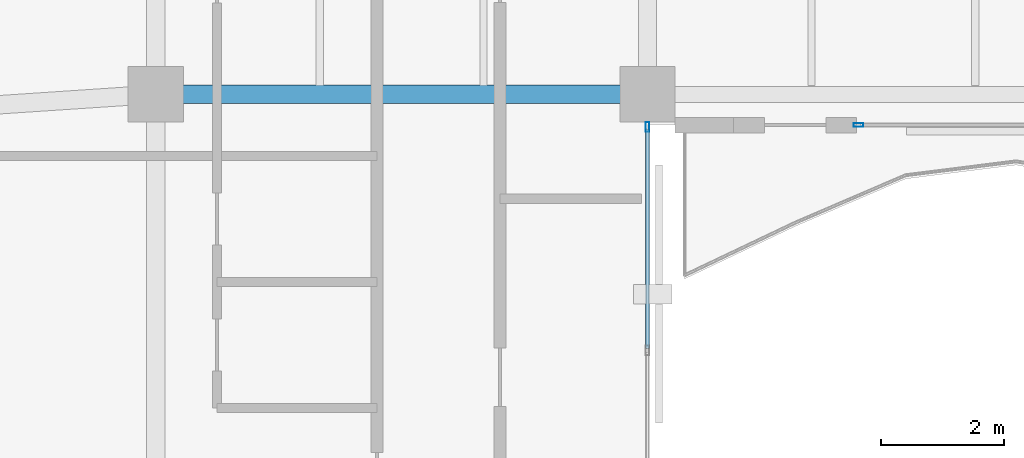
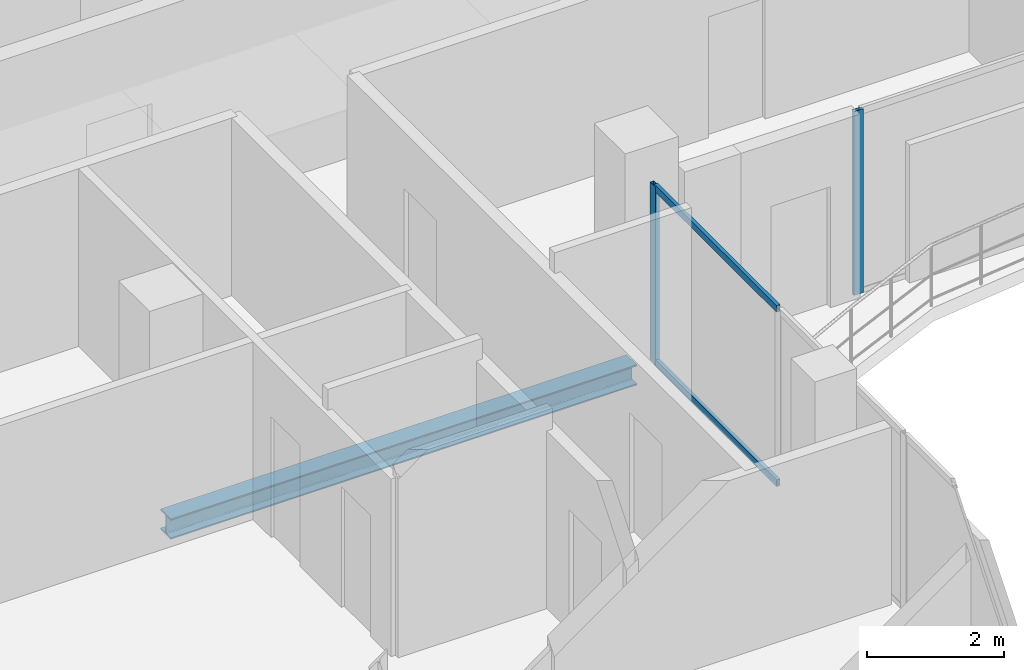
# One storey, part 8 of 23: 4 members, 1 beam, 2 elements without a shape of their own.
"""IFC4 building model written with IfcOpenShell, lengths in metres."""

from ifc_helpers import new_model, si_unit, direction, frame, origin, origin_2d, place, context, subcontext, project, spatial, hollow_rectangle, i_section, extrude, material, layer, layer_set, material_profile, profile_set, type_object, element, aggregate, save


model = new_model("IFC4")

# Units and contexts
model_context = context("Model", 3, precision=1e-05, world=origin(), true_north=direction((0.0, 1.0)))
body_context = subcontext(model_context, "Body", "Model", "MODEL_VIEW")
ifc_project = project(units=[si_unit("LENGTHUNIT", "METRE"), si_unit("AREAUNIT", "SQUARE_METRE"), si_unit("VOLUMEUNIT", "CUBIC_METRE"), si_unit("PLANEANGLEUNIT", "RADIAN"), si_unit("MASSUNIT", "GRAM", prefix="KILO")], contexts=[model_context])

# Site, building, storey
site_placement = place(None, origin())
site = spatial("IfcSite", under=ifc_project, at=site_placement, CompositionType="ELEMENT")
building_placement = place(site_placement, origin())
building = spatial("IfcBuilding", under=site, at=building_placement, Name="Catumbela Crestline Tower", CompositionType="ELEMENT")
storey_placement = place(building_placement, frame((0.0, 0.0, 252.6)))
storey = spatial("IfcBuildingStorey", under=building, at=storey_placement, Name="L65", CompositionType="ELEMENT", Elevation=252.6)

# Beam
ifc_material_1 = material(Name="Structural steel S355J2", Category="steel")
ifc_material_profile_1 = material_profile(ifc_material_1, i_section(OverallWidth=0.3, OverallDepth=0.36, WebThickness=0.0125, FlangeThickness=0.0225, FilletRadius=0.027, at=origin_2d()), Name="HEB 360")
ifc_profile_set_1 = profile_set([ifc_material_profile_1], Name="Structural steel S355J2")
beam_type = type_object("IfcBeamType", Name="BG-HEB360", PredefinedType="BEAM", material=ifc_profile_set_1)
beam_placement = place(storey_placement, frame((16.08, 24.5, -0.44), z_axis=(1.0, 0.0, 0.0), x_axis=(0.0, 1.0, 0.0)))
element("IfcBeam", 1, at=beam_placement, inside=storey, type_object=beam_type, Name="L65 Beam BM-L65-S03", PredefinedType="BEAM", context=body_context, shape_type="SweptSolid", body=[
    extrude(i_section(OverallWidth=0.3, OverallDepth=0.36, WebThickness=0.0125, FlangeThickness=0.0225, FilletRadius=0.027, at=origin_2d()), origin(), (0.0, 0.0, 1.0), 7.84),
])

# Curtain wall, member
ifc_material_2 = material(Name="Aluminium alloy AW-6060-T66", Category="aluminium")
ifc_layer = layer(ifc_material_2, 0.18, Name="Aluminium alloy AW-6060-T66")
ifc_layer_set = layer_set([ifc_layer], Name="Aluminium alloy AW-6060-T66")
curtain_wall_type = type_object("IfcCurtainWallType", Name="CWU-Z4", PredefinedType="USERDEFINED", material=ifc_layer_set)
curtain_wall_1_placement = place(storey_placement, origin())
curtain_wall_1 = element("IfcCurtainWall", 2, at=curtain_wall_1_placement, inside=storey, type_object=curtain_wall_type, Name="L65 Unitised Curtain Wall CW-L65-E2S1", ObjectType="UNITISED", PredefinedType="USERDEFINED")
ifc_material_profile_2 = material_profile(ifc_material_2, hollow_rectangle(XDim=0.06, YDim=0.16, WallThickness=0.004, at=origin_2d()), Name="ALU 160x60x4")
ifc_profile_set_2 = profile_set([ifc_material_profile_2], Name="Aluminium alloy AW-6060-T66")
member_type_1 = type_object("IfcMemberType", Name="MUL-160X60", PredefinedType="MULLION", material=ifc_profile_set_2)
member_1_placement = place(storey_placement, frame((24.0, 23.9675, 0.0), z_axis=(0.0, 0.0, 1.0), x_axis=(-1.0, 0.0, 0.0)))
member_1 = element("IfcMember", 3, at=member_1_placement, type_object=member_type_1, Name="CWU-Z4 mullion 4", PredefinedType="MULLION", context=body_context, shape_type="SweptSolid", body=[
    extrude(hollow_rectangle(XDim=0.06, YDim=0.16, WallThickness=0.004, at=origin_2d()), origin(), (0.0, 0.0, 1.0), 3.16),
])

curtain_wall_2_placement = place(storey_placement, origin())
curtain_wall_2 = element("IfcCurtainWall", 4, at=curtain_wall_2_placement, inside=storey, type_object=curtain_wall_type, Name="L65 Unitised Curtain Wall CW-L65-E3S2", ObjectType="UNITISED", PredefinedType="USERDEFINED")
member_2_placement = place(storey_placement, frame((27.4325, 24.0, 0.0), z_axis=(0.0, 0.0, 1.0), x_axis=(0.0, 1.0, 0.0)))
member_2 = element("IfcMember", 5, at=member_2_placement, type_object=member_type_1, Name="CWU-Z4 mullion 1", PredefinedType="MULLION", context=body_context, shape_type="SweptSolid", body=[
    extrude(hollow_rectangle(XDim=0.06, YDim=0.16, WallThickness=0.004, at=origin_2d()), origin(), (0.0, 0.0, 1.0), 3.27),
])
aggregate(curtain_wall_2, [member_2])

# Member
ifc_material_profile_3 = material_profile(ifc_material_2, hollow_rectangle(XDim=0.06, YDim=0.12, WallThickness=0.0035, at=origin_2d()), Name="ALU 120x60x3.5")
ifc_profile_set_3 = profile_set([ifc_material_profile_3], Name="Aluminium alloy AW-6060-T66")
member_type_2 = type_object("IfcMemberType", Name="TRN-120X60", PredefinedType="USERDEFINED", material=ifc_profile_set_3)
member_3_placement = place(storey_placement, frame((24.0, 20.3658, 0.03), z_axis=(0.0, 1.0, 0.0), x_axis=(-1.0, 0.0, 0.0)))
member_3 = element("IfcMember", 6, at=member_3_placement, type_object=member_type_2, Name="CWU-Z4 transom 3.1", ObjectType="TRANSOM", PredefinedType="USERDEFINED", context=body_context, shape_type="SweptSolid", body=[
    extrude(hollow_rectangle(XDim=0.06, YDim=0.12, WallThickness=0.0035, at=origin_2d()), origin(), (0.0, 0.0, 1.0), 3.5692),
])

member_4_placement = place(storey_placement, frame((24.0, 20.3658, 3.13), z_axis=(0.0, 1.0, 0.0), x_axis=(-1.0, 0.0, 0.0)))
member_4 = element("IfcMember", 7, at=member_4_placement, type_object=member_type_2, Name="CWU-Z4 transom 3.2", ObjectType="TRANSOM", PredefinedType="USERDEFINED", context=body_context, shape_type="SweptSolid", body=[
    extrude(hollow_rectangle(XDim=0.06, YDim=0.12, WallThickness=0.0035, at=origin_2d()), origin(), (0.0, 0.0, 1.0), 3.5692),
])

aggregate(curtain_wall_1, [member_1, member_3, member_4])

save(model, "model.ifc")
